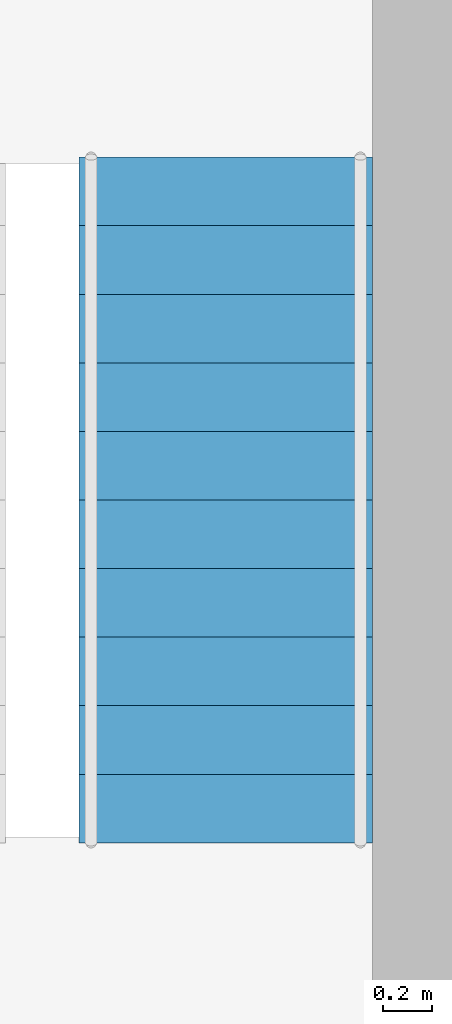
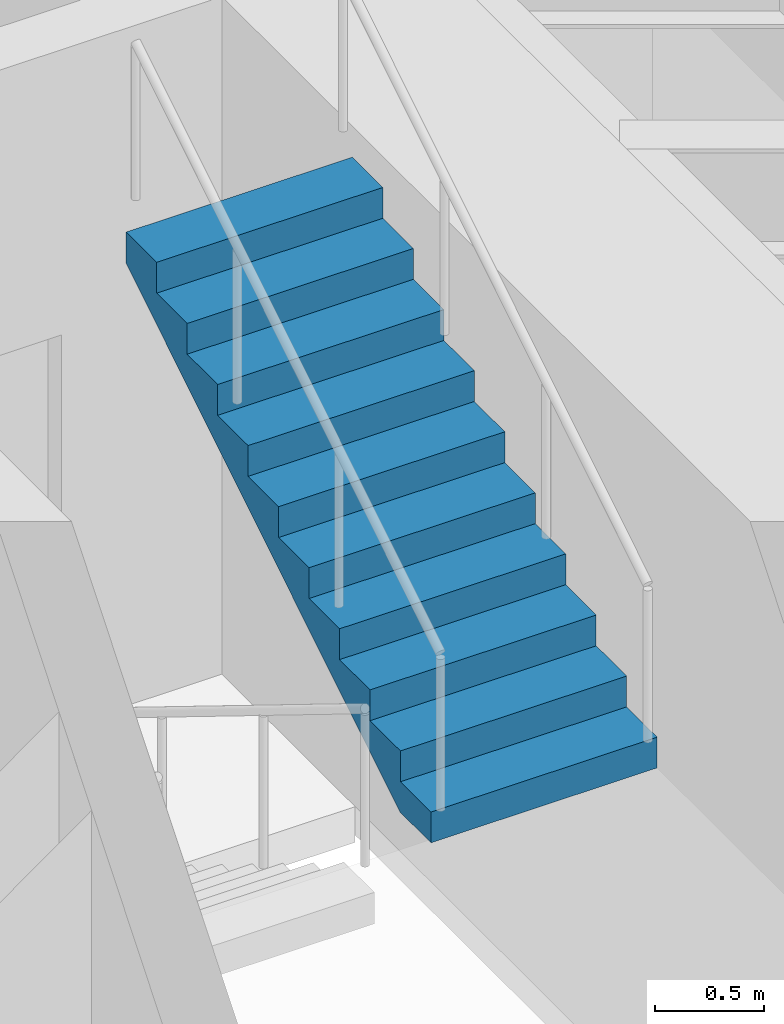
# One storey, part 16 of 17: 1 stair flight, 1 element without a shape of its own.
"""IFC4 building model written with IfcOpenShell, lengths in metres."""

from ifc_helpers import new_model, si_unit, direction, frame, origin, place, context, subcontext, project, spatial, polyline, outline, extrude, material, type_object, element, aggregate, save


model = new_model("IFC4")

# Units and contexts
model_context = context("Model", 3, precision=1e-05, world=origin(), true_north=direction((0.0, 1.0)))
body_context = subcontext(model_context, "Body", "Model", "MODEL_VIEW")
ifc_project = project(units=[si_unit("LENGTHUNIT", "METRE"), si_unit("AREAUNIT", "SQUARE_METRE"), si_unit("VOLUMEUNIT", "CUBIC_METRE"), si_unit("PLANEANGLEUNIT", "RADIAN"), si_unit("MASSUNIT", "GRAM", prefix="KILO")], contexts=[model_context])

# Site, building, storey
site_placement = place(None, origin())
site = spatial("IfcSite", under=ifc_project, at=site_placement, CompositionType="ELEMENT")
building_placement = place(site_placement, origin())
building = spatial("IfcBuilding", under=site, at=building_placement, Name="Sandreach Pilgrim Tower", CompositionType="ELEMENT")
storey_placement = place(building_placement, frame((0.0, 0.0, 213.60009765625)))
storey = spatial("IfcBuildingStorey", under=building, at=storey_placement, Name="L53", CompositionType="ELEMENT", Elevation=213.60009765625)

# Stair, stair flight
ifc_material_1 = material(Name="Concrete 8000 psi", Category="concrete")
stair_type = type_object("IfcStairType", Name="Core exit stair", PredefinedType="HALF_TURN_STAIR", material=ifc_material_1)
stair_placement = place(storey_placement, origin())
stair = element("IfcStair", 1, at=stair_placement, inside=storey, type_object=stair_type, Name="Exit stair ST2 L53", PredefinedType="HALF_TURN_STAIR")
ifc_material_2 = material(Name="Concrete 8000 psi", Category="concrete")
stair_flight_type = type_object("IfcStairFlightType", Name="Core stair flight 1200", PredefinedType="STRAIGHT", material=ifc_material_2)
stair_flight_placement = place(storey_placement, frame((7.14990234375, -3.199951171875, 1.89990234375), z_axis=(0.0, 0.0, 1.0), x_axis=(0.0, 1.0, 0.0)))
stair_flight = element("IfcStairFlight", 2, at=stair_flight_placement, type_object=stair_flight_type, Name="ST2 flight 2", NumberOfRisers=11, NumberOfTreads=10, PredefinedType="STRAIGHT", RiserHeight=0.172727273, TreadLength=0.28, context=body_context, shape_type="SweptSolid", body=[
    extrude(outline(polyline([(0.0, 0.0), (0.0, 0.172607421875), (0.280029296875, 0.172607421875), (0.280029296875, 0.345458984375), (0.56005859375, 0.345458984375), (0.56005859375, 0.51806640625), (0.840087890625, 0.51806640625), (0.840087890625, 0.69091796875), (1.1201171875, 0.69091796875), (1.1201171875, 0.863525390625), (1.39990234375, 0.863525390625), (1.39990234375, 1.036376953125), (1.679931640625, 1.036376953125), (1.679931640625, 1.208984375), (1.9599609375, 1.208984375), (1.9599609375, 1.3818359375), (2.239990234375, 1.3818359375), (2.239990234375, 1.554443359375), (2.52001953125, 1.554443359375), (2.52001953125, 1.727294921875), (2.800048828125, 1.727294921875), (2.800048828125, 1.89990234375), (2.800048828125, 1.551025390625), (0.285400390625, 0.0), (0.0, 0.0)])), frame((0.0, 0.60009765625, 0.0), z_axis=(0.0, -1.0, 0.0), x_axis=(1.0, 0.0, 0.0)), (0.0, 0.0, 1.0), 1.199951171875),
])
aggregate(stair, [stair_flight])

save(model, "model.ifc")
